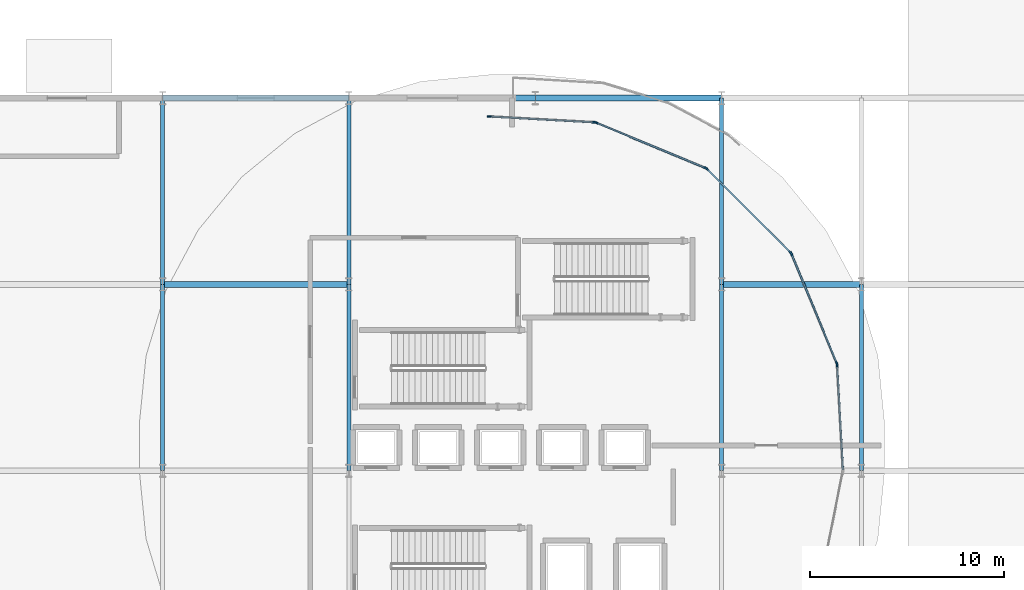
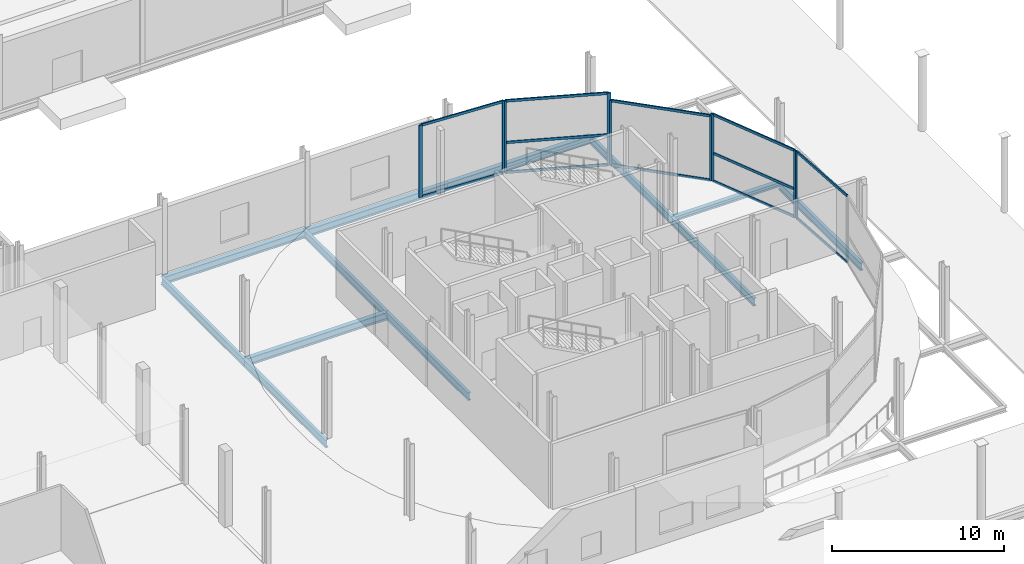
# One storey, part 44 of 84: 21 members, 12 beams, 5 elements without a shape of their own.
"""IFC4 building model written with IfcOpenShell, lengths in metres."""

from ifc_helpers import new_model, si_unit, direction, frame, origin, origin_2d, place, context, subcontext, project, spatial, rectangle, i_section, extrude, material, layer, layer_set, material_profile, profile_set, type_object, element, aggregate, save


model = new_model("IFC4")

# Units and contexts
model_context = context("Model", 3, precision=1e-05, world=origin(), true_north=direction((0.0, 1.0)))
body_context = subcontext(model_context, "Body", "Model", "MODEL_VIEW")
ifc_project = project(units=[si_unit("LENGTHUNIT", "METRE"), si_unit("AREAUNIT", "SQUARE_METRE"), si_unit("VOLUMEUNIT", "CUBIC_METRE"), si_unit("PLANEANGLEUNIT", "RADIAN"), si_unit("MASSUNIT", "GRAM", prefix="KILO")], contexts=[model_context])

# Site, building, storey
site_placement = place(None, origin())
site = spatial("IfcSite", under=ifc_project, at=site_placement, CompositionType="ELEMENT")
building_placement = place(site_placement, origin())
building = spatial("IfcBuilding", under=site, at=building_placement, Name="Zevrakil Square Congress Hotel", CompositionType="ELEMENT")
storey_placement = place(building_placement, origin())
storey = spatial("IfcBuildingStorey", under=building, at=storey_placement, Name="L01", CompositionType="ELEMENT", Elevation=0.0)

# Beams
ifc_material_1 = material(Name="Steel S355", Category="steel")
ifc_material_profile_1 = material_profile(ifc_material_1, i_section(OverallWidth=0.300048828125, OverallDepth=0.31005859375, WebThickness=0.009033203125, FlangeThickness=0.015380859375, FilletRadius=0.027099609375, at=origin_2d()), Name="HEA 320")
ifc_profile_set_1 = profile_set([ifc_material_profile_1], Name="Steel S355")
beam_type_1 = type_object("IfcBeamType", Name="BM-HEA320", PredefinedType="BEAM", material=ifc_profile_set_1)
beam_1_placement = place(storey_placement, frame((156.0, 36.0, -0.47509765625), z_axis=(1.0, 0.0, 0.0), x_axis=(0.0, 1.0, 0.0)))
element("IfcBeam", 1, at=beam_1_placement, inside=storey, type_object=beam_type_1, Name="L01 primary girder BX-0346", PredefinedType="BEAM", context=body_context, shape_type="SweptSolid", body=[
    extrude(i_section(OverallWidth=0.300048828125, OverallDepth=0.31005859375, WebThickness=0.009033203125, FlangeThickness=0.015380859375, FilletRadius=0.027099609375, at=origin_2d()), origin(), (0.0, 0.0, 1.0), 7.199951171875),
])
ifc_material_2 = material(Name="Steel S355", Category="steel")
ifc_material_profile_2 = material_profile(ifc_material_2, i_section(OverallWidth=0.300048828125, OverallDepth=0.5400390625, WebThickness=0.012451171875, FlangeThickness=0.02392578125, FilletRadius=0.027099609375, at=origin_2d()), Name="HEA 550")
ifc_profile_set_2 = profile_set([ifc_material_profile_2], Name="Steel S355")
beam_type_2 = type_object("IfcBeamType", Name="BM-HEA550", PredefinedType="BEAM", material=ifc_profile_set_2)
for number, where, z_axis, x_axis, name in (
    (2, (127.199951171875, 36.0, -0.590087890625), (1.0, 0.0, 0.0), (0.0, 1.0, 0.0), "L01 primary girder BX-0345"),
    (3, (127.199951171875, 45.60009765625, -0.590087890625), (1.0, 0.0, 0.0), (0.0, 1.0, 0.0), "L01 primary girder BX-0362"),
):
    element("IfcBeam", number, at=place(storey_placement, frame(where, z_axis=z_axis, x_axis=x_axis)), inside=storey, type_object=beam_type_2, Name=name, PredefinedType="BEAM", context=body_context, shape_type="SweptSolid", body=[
        extrude(i_section(OverallWidth=0.300048828125, OverallDepth=0.5400390625, WebThickness=0.012451171875, FlangeThickness=0.02392578125, FilletRadius=0.027099609375, at=origin_2d()), origin(), (0.0, 0.0, 1.0), 9.60009765625),
    ])
beam_2_placement = place(storey_placement, frame((136.800048828125, 45.60009765625, -0.590087890625), z_axis=(1.0, 0.0, 0.0), x_axis=(0.0, 1.0, 0.0)))
element("IfcBeam", 4, at=beam_2_placement, inside=storey, type_object=beam_type_2, Name="L01 primary girder BX-0363", PredefinedType="BEAM", context=body_context, shape_type="SweptSolid", body=[
    extrude(i_section(OverallWidth=0.300048828125, OverallDepth=0.5400390625, WebThickness=0.012451171875, FlangeThickness=0.02392578125, FilletRadius=0.027099609375, at=origin_2d()), origin(), (0.0, 0.0, 1.0), 9.599853515625),
])
beam_3_placement = place(storey_placement, frame((146.39990234375, 45.60009765625, -0.590087890625), z_axis=(1.0, 0.0, 0.0), x_axis=(0.0, 1.0, 0.0)))
element("IfcBeam", 5, at=beam_3_placement, inside=storey, type_object=beam_type_2, Name="L01 primary girder BX-0364", PredefinedType="BEAM", context=body_context, shape_type="SweptSolid", body=[
    extrude(i_section(OverallWidth=0.300048828125, OverallDepth=0.5400390625, WebThickness=0.012451171875, FlangeThickness=0.02392578125, FilletRadius=0.027099609375, at=origin_2d()), origin(), (0.0, 0.0, 1.0), 9.60009765625),
])
ifc_material_3 = material(Name="Steel S355", Category="steel")
ifc_material_profile_3 = material_profile(ifc_material_3, i_section(OverallWidth=0.2099609375, OverallDepth=0.550048828125, WebThickness=0.010986328125, FlangeThickness=0.01708984375, FilletRadius=0.02392578125, at=origin_2d()), Name="IPE 550")
ifc_profile_set_3 = profile_set([ifc_material_profile_3], Name="Steel S355")
beam_type_3 = type_object("IfcBeamType", Name="BM-IPE550", PredefinedType="BEAM", material=ifc_profile_set_3)
for number, where, z_axis, x_axis, name in (
    (6, (127.199951171875, 26.39990234375, -0.594970703125), (0.0, 1.0, 0.0), (-1.0, 0.0, 0.0), "L01 primary girder BY-0617"),
    (7, (127.199951171875, 36.0, -0.594970703125), (0.0, 1.0, 0.0), (-1.0, 0.0, 0.0), "L01 primary girder BY-0618"),
    (8, (136.800048828125, 26.39990234375, -0.594970703125), (0.0, 1.0, 0.0), (-1.0, 0.0, 0.0), "L01 primary girder BY-0623"),
    (9, (136.800048828125, 36.0, -0.594970703125), (0.0, 1.0, 0.0), (-1.0, 0.0, 0.0), "L01 primary girder BY-0624"),
    (10, (156.0, 26.39990234375, -0.594970703125), (0.0, 1.0, 0.0), (-1.0, 0.0, 0.0), "L01 primary girder BY-0632"),
    (11, (156.0, 36.0, -0.594970703125), (0.0, 1.0, 0.0), (-1.0, 0.0, 0.0), "L01 primary girder BY-0633"),
    (12, (163.199951171875, 26.39990234375, -0.594970703125), (0.0, 1.0, 0.0), (-1.0, 0.0, 0.0), "L01 primary girder BY-0637"),
):
    element("IfcBeam", number, at=place(storey_placement, frame(where, z_axis=z_axis, x_axis=x_axis)), inside=storey, type_object=beam_type_3, Name=name, PredefinedType="BEAM", context=body_context, shape_type="SweptSolid", body=[
        extrude(i_section(OverallWidth=0.2099609375, OverallDepth=0.550048828125, WebThickness=0.010986328125, FlangeThickness=0.01708984375, FilletRadius=0.02392578125, at=origin_2d()), origin(), (0.0, 0.0, 1.0), 9.60009765625),
    ])

# Curtain wall, members
ifc_material_4 = material(Name="Aluminium Anodised Bronze", Category="aluminium")
ifc_layer_1 = layer(ifc_material_4, 0.179931640625)
ifc_layer_set_1 = layer_set([ifc_layer_1], Name="Aluminium Anodised Bronze")
curtain_wall_type_1 = type_object("IfcCurtainWallType", Name="CW-L01-560", PredefinedType="USERDEFINED", material=ifc_layer_set_1)
curtain_wall_1_placement = place(storey_placement, origin())
curtain_wall_1 = element("IfcCurtainWall", 13, at=curtain_wall_1_placement, inside=storey, type_object=curtain_wall_type_1, Name="L01 diamond curtain wall CW-L01-0147", ObjectType="GLAZED CURTAIN WALL", PredefinedType="USERDEFINED")
ifc_material_5 = material(Name="Aluminium Anodised Bronze", Category="aluminium")
ifc_material_profile_4 = material_profile(ifc_material_5, rectangle(XDim=0.0849609375, YDim=0.179931640625, at=origin_2d()), Name="ALU 85x180")
ifc_profile_set_4 = profile_set([ifc_material_profile_4], Name="Aluminium Anodised Bronze")
member_type_1 = type_object("IfcMemberType", Name="CWM-ALU85x180", PredefinedType="USERDEFINED", material=ifc_profile_set_4)
member_1_placement = place(storey_placement, frame((162.24658203125, 26.4599609375, 0.030029296875), z_axis=(-0.055356931966, 0.998466629429, 0.0), x_axis=(-0.998466629429, -0.055356931966, 0.0)))
member_1 = element("IfcMember", 14, at=member_1_placement, type_object=member_type_1, Name="CW-08 transom 1.1", ObjectType="TRANSOM", PredefinedType="USERDEFINED", context=body_context, shape_type="SweptSolid", body=[
    extrude(rectangle(XDim=0.0849609375, YDim=0.179931640625, at=origin_2d()), origin(), (0.0, 0.0, 1.0), 5.380615234375),
])
member_2_placement = place(storey_placement, frame((162.24658203125, 26.4599609375, 4.7451171875), z_axis=(-0.055356931966, 0.998466629429, 0.0), x_axis=(-0.998466629429, -0.055356931966, 0.0)))
member_2 = element("IfcMember", 15, at=member_2_placement, type_object=member_type_1, Name="CW-08 transom 1.2", ObjectType="TRANSOM", PredefinedType="USERDEFINED", context=body_context, shape_type="SweptSolid", body=[
    extrude(rectangle(XDim=0.0849609375, YDim=0.179931640625, at=origin_2d()), origin(), (0.0, 0.0, 1.0), 5.380615234375),
])

ifc_material_6 = material(Name="Aluminium Anodised Bronze", Category="aluminium")
ifc_layer_2 = layer(ifc_material_6, 0.179931640625)
ifc_layer_set_2 = layer_set([ifc_layer_2], Name="Aluminium Anodised Bronze")
curtain_wall_type_2 = type_object("IfcCurtainWallType", Name="CW-L01-640", PredefinedType="USERDEFINED", material=ifc_layer_set_2)
curtain_wall_2_placement = place(storey_placement, origin())
curtain_wall_2 = element("IfcCurtainWall", 16, at=curtain_wall_2_placement, inside=storey, type_object=curtain_wall_type_2, Name="L01 diamond curtain wall CW-L01-0148", ObjectType="GLAZED CURTAIN WALL", PredefinedType="USERDEFINED")
member_3_placement = place(storey_placement, frame((161.92236328125, 31.94775390625, 0.030029296875), z_axis=(-0.382670620421, 0.923884839288, 0.0), x_axis=(-0.923884839288, -0.382670620421, 0.0)))
member_3 = element("IfcMember", 17, at=member_3_placement, type_object=member_type_1, Name="CW-09 transom 1.1", ObjectType="TRANSOM", PredefinedType="USERDEFINED", context=body_context, shape_type="SweptSolid", body=[
    extrude(rectangle(XDim=0.0849609375, YDim=0.179931640625, at=origin_2d()), origin(), (0.0, 0.0, 1.0), 6.064208984375),
])
member_4_placement = place(storey_placement, frame((161.92236328125, 31.94775390625, 2.005615234375), z_axis=(-0.382670620421, 0.923884839288, 0.0), x_axis=(-0.923884839288, -0.382670620421, 0.0)))
member_4 = element("IfcMember", 18, at=member_4_placement, type_object=member_type_1, Name="CW-09 transom 1.2", ObjectType="TRANSOM", PredefinedType="USERDEFINED", context=body_context, shape_type="SweptSolid", body=[
    extrude(rectangle(XDim=0.0849609375, YDim=0.179931640625, at=origin_2d()), origin(), (0.0, 0.0, 1.0), 6.064208984375),
])
member_5_placement = place(storey_placement, frame((161.92236328125, 31.94775390625, 4.7451171875), z_axis=(-0.382670620421, 0.923884839288, 0.0), x_axis=(-0.923884839288, -0.382670620421, 0.0)))
member_5 = element("IfcMember", 19, at=member_5_placement, type_object=member_type_1, Name="CW-09 transom 1.3", ObjectType="TRANSOM", PredefinedType="USERDEFINED", context=body_context, shape_type="SweptSolid", body=[
    extrude(rectangle(XDim=0.0849609375, YDim=0.179931640625, at=origin_2d()), origin(), (0.0, 0.0, 1.0), 6.064208984375),
])

curtain_wall_3_placement = place(storey_placement, origin())
curtain_wall_3 = element("IfcCurtainWall", 20, at=curtain_wall_3_placement, inside=storey, type_object=curtain_wall_type_2, Name="L01 diamond curtain wall CW-L01-0149", ObjectType="GLAZED CURTAIN WALL", PredefinedType="USERDEFINED")
member_6_placement = place(storey_placement, frame((159.536376953125, 37.648193359375, 0.030029296875), z_axis=(-0.707106781187, 0.707106781187, 0.0), x_axis=(-0.707106781187, -0.707106781187, 0.0)))
member_6 = element("IfcMember", 21, at=member_6_placement, type_object=member_type_1, Name="CW-09 transom 1.1", ObjectType="TRANSOM", PredefinedType="USERDEFINED", context=body_context, shape_type="SweptSolid", body=[
    extrude(rectangle(XDim=0.0849609375, YDim=0.179931640625, at=origin_2d()), origin(), (0.0, 0.0, 1.0), 6.064208984375),
])
member_7_placement = place(storey_placement, frame((159.536376953125, 37.648193359375, 4.594970703125), z_axis=(-0.707106781187, 0.707106781187, 0.0), x_axis=(-0.707106781187, -0.707106781187, 0.0)))
member_7 = element("IfcMember", 22, at=member_7_placement, type_object=member_type_1, Name="CW-09 transom 1.2", ObjectType="TRANSOM", PredefinedType="USERDEFINED", context=body_context, shape_type="SweptSolid", body=[
    extrude(rectangle(XDim=0.0849609375, YDim=0.179931640625, at=origin_2d()), origin(), (0.0, 0.0, 1.0), 6.064208984375),
])

curtain_wall_4_placement = place(storey_placement, origin())
curtain_wall_4 = element("IfcCurtainWall", 23, at=curtain_wall_4_placement, inside=storey, type_object=curtain_wall_type_2, Name="L01 diamond curtain wall CW-L01-0150", ObjectType="GLAZED CURTAIN WALL", PredefinedType="USERDEFINED")
member_8_placement = place(storey_placement, frame((155.150390625, 42.001708984375, 0.030029296875), z_axis=(-0.923876501403, 0.382690750026, 0.0), x_axis=(-0.382690750026, -0.923876501403, 0.0)))
member_8 = element("IfcMember", 24, at=member_8_placement, type_object=member_type_1, Name="CW-09 transom 1.1", ObjectType="TRANSOM", PredefinedType="USERDEFINED", context=body_context, shape_type="SweptSolid", body=[
    extrude(rectangle(XDim=0.0849609375, YDim=0.179931640625, at=origin_2d()), origin(), (0.0, 0.0, 1.0), 6.064453125),
])
member_9_placement = place(storey_placement, frame((155.150390625, 42.001708984375, 2.15869140625), z_axis=(-0.923876501403, 0.382690750026, 0.0), x_axis=(-0.382690750026, -0.923876501403, 0.0)))
member_9 = element("IfcMember", 25, at=member_9_placement, type_object=member_type_1, Name="CW-09 transom 1.2", ObjectType="TRANSOM", PredefinedType="USERDEFINED", context=body_context, shape_type="SweptSolid", body=[
    extrude(rectangle(XDim=0.0849609375, YDim=0.179931640625, at=origin_2d()), origin(), (0.0, 0.0, 1.0), 6.064453125),
])
member_10_placement = place(storey_placement, frame((155.150390625, 42.001708984375, 5.110107421875), z_axis=(-0.923876501403, 0.382690750026, 0.0), x_axis=(-0.382690750026, -0.923876501403, 0.0)))
member_10 = element("IfcMember", 26, at=member_10_placement, type_object=member_type_1, Name="CW-09 transom 1.3", ObjectType="TRANSOM", PredefinedType="USERDEFINED", context=body_context, shape_type="SweptSolid", body=[
    extrude(rectangle(XDim=0.0849609375, YDim=0.179931640625, at=origin_2d()), origin(), (0.0, 0.0, 1.0), 6.064453125),
])

curtain_wall_5_placement = place(storey_placement, origin())
curtain_wall_5 = element("IfcCurtainWall", 27, at=curtain_wall_5_placement, inside=storey, type_object=curtain_wall_type_1, Name="L01 diamond curtain wall CW-L01-0151", ObjectType="GLAZED CURTAIN WALL", PredefinedType="USERDEFINED")
member_11_placement = place(storey_placement, frame((149.432373046875, 44.3486328125, 0.030029296875), z_axis=(-0.99846425973, 0.055399657418, 0.0), x_axis=(-0.055399657418, -0.99846425973, 0.0)))
member_11 = element("IfcMember", 28, at=member_11_placement, type_object=member_type_1, Name="CW-08 transom 1.1", ObjectType="TRANSOM", PredefinedType="USERDEFINED", context=body_context, shape_type="SweptSolid", body=[
    extrude(rectangle(XDim=0.0849609375, YDim=0.179931640625, at=origin_2d()), origin(), (0.0, 0.0, 1.0), 5.380859375),
])
member_12_placement = place(storey_placement, frame((149.432373046875, 44.3486328125, 5.110107421875), z_axis=(-0.99846425973, 0.055399657418, 0.0), x_axis=(-0.055399657418, -0.99846425973, 0.0)))
member_12 = element("IfcMember", 29, at=member_12_placement, type_object=member_type_1, Name="CW-08 transom 1.2", ObjectType="TRANSOM", PredefinedType="USERDEFINED", context=body_context, shape_type="SweptSolid", body=[
    extrude(rectangle(XDim=0.0849609375, YDim=0.179931640625, at=origin_2d()), origin(), (0.0, 0.0, 1.0), 5.380859375),
])

# Member
ifc_material_7 = material(Name="Aluminium Anodised Bronze", Category="aluminium")
ifc_material_profile_5 = material_profile(ifc_material_7, rectangle(XDim=0.0849609375, YDim=0.219970703125, at=origin_2d()), Name="ALU 85x220")
ifc_profile_set_5 = profile_set([ifc_material_profile_5], Name="Aluminium Anodised Bronze")
member_type_2 = type_object("IfcMemberType", Name="CWM-ALU85x220", PredefinedType="MULLION", material=ifc_profile_set_5)
member_13_placement = place(storey_placement, frame((161.947021484375, 31.8623046875, 0.0), z_axis=(0.0, 0.0, 1.0), x_axis=(-0.998465606848, -0.055375373052, 0.0)))
member_13 = element("IfcMember", 30, at=member_13_placement, type_object=member_type_2, Name="CW-08 mullion 2", PredefinedType="MULLION", context=body_context, shape_type="SweptSolid", body=[
    extrude(rectangle(XDim=0.0849609375, YDim=0.219970703125, at=origin_2d()), origin(), (0.0, 0.0, 1.0), 4.77490234375),
])

aggregate(curtain_wall_1, [member_13, member_1, member_2])

member_14_placement = place(storey_placement, frame((161.933837890625, 31.919921875, 0.0), z_axis=(0.0, 0.0, 1.0), x_axis=(-0.923882425818, -0.38267644723, 0.0)))
member_14 = element("IfcMember", 31, at=member_14_placement, type_object=member_type_2, Name="CW-09 mullion 1", PredefinedType="MULLION", context=body_context, shape_type="SweptSolid", body=[
    extrude(rectangle(XDim=0.0849609375, YDim=0.219970703125, at=origin_2d()), origin(), (0.0, 0.0, 1.0), 4.77490234375),
])

member_15_placement = place(storey_placement, frame((159.59033203125, 37.578125, 0.0), z_axis=(0.0, 0.0, 1.0), x_axis=(-0.923882425818, -0.38267644723, 0.0)))
member_15 = element("IfcMember", 32, at=member_15_placement, type_object=member_type_2, Name="CW-09 mullion 2", PredefinedType="MULLION", context=body_context, shape_type="SweptSolid", body=[
    extrude(rectangle(XDim=0.0849609375, YDim=0.219970703125, at=origin_2d()), origin(), (0.0, 0.0, 1.0), 4.77490234375),
])

aggregate(curtain_wall_2, [member_14, member_15, member_3, member_4, member_5])

member_16_placement = place(storey_placement, frame((159.5576171875, 37.626953125, 0.0), z_axis=(0.0, 0.0, 1.0), x_axis=(-0.707106781187, -0.707106781187, 0.0)))
member_16 = element("IfcMember", 33, at=member_16_placement, type_object=member_type_2, Name="CW-09 mullion 1", PredefinedType="MULLION", context=body_context, shape_type="SweptSolid", body=[
    extrude(rectangle(XDim=0.0849609375, YDim=0.219970703125, at=origin_2d()), origin(), (0.0, 0.0, 1.0), 4.625),
])

member_17_placement = place(storey_placement, frame((155.22705078125, 41.95751953125, 0.0), z_axis=(0.0, 0.0, 1.0), x_axis=(-0.707106781187, -0.707106781187, 0.0)))
member_17 = element("IfcMember", 34, at=member_17_placement, type_object=member_type_2, Name="CW-09 mullion 2", PredefinedType="MULLION", context=body_context, shape_type="SweptSolid", body=[
    extrude(rectangle(XDim=0.0849609375, YDim=0.219970703125, at=origin_2d()), origin(), (0.0, 0.0, 1.0), 4.625),
])

aggregate(curtain_wall_3, [member_16, member_17, member_6, member_7])

member_18_placement = place(storey_placement, frame((155.177978515625, 41.990234375, 0.0), z_axis=(0.0, 0.0, 1.0), x_axis=(-0.38267644723, -0.923882425818, 0.0)))
member_18 = element("IfcMember", 35, at=member_18_placement, type_object=member_type_2, Name="CW-09 mullion 1", PredefinedType="MULLION", context=body_context, shape_type="SweptSolid", body=[
    extrude(rectangle(XDim=0.0849609375, YDim=0.219970703125, at=origin_2d()), origin(), (0.0, 0.0, 1.0), 5.139892578125),
])

member_19_placement = place(storey_placement, frame((149.52001953125, 44.333984375, 0.0), z_axis=(0.0, 0.0, 1.0), x_axis=(-0.38267644723, -0.923882425818, 0.0)))
member_19 = element("IfcMember", 36, at=member_19_placement, type_object=member_type_2, Name="CW-09 mullion 2", PredefinedType="MULLION", context=body_context, shape_type="SweptSolid", body=[
    extrude(rectangle(XDim=0.0849609375, YDim=0.219970703125, at=origin_2d()), origin(), (0.0, 0.0, 1.0), 5.139892578125),
])

aggregate(curtain_wall_4, [member_18, member_19, member_8, member_9, member_10])

member_20_placement = place(storey_placement, frame((149.462158203125, 44.34716796875, 0.0), z_axis=(0.0, 0.0, 1.0), x_axis=(-0.055375373052, -0.998465606848, 0.0)))
member_20 = element("IfcMember", 37, at=member_20_placement, type_object=member_type_2, Name="CW-08 mullion 1", PredefinedType="MULLION", context=body_context, shape_type="SweptSolid", body=[
    extrude(rectangle(XDim=0.0849609375, YDim=0.219970703125, at=origin_2d()), origin(), (0.0, 0.0, 1.0), 5.139892578125),
])

member_21_placement = place(storey_placement, frame((144.030029296875, 44.6484375, 0.0), z_axis=(0.0, 0.0, 1.0), x_axis=(-0.055375373052, -0.998465606848, 0.0)))
member_21 = element("IfcMember", 38, at=member_21_placement, type_object=member_type_2, Name="CW-08 mullion 2", PredefinedType="MULLION", context=body_context, shape_type="SweptSolid", body=[
    extrude(rectangle(XDim=0.0849609375, YDim=0.219970703125, at=origin_2d()), origin(), (0.0, 0.0, 1.0), 5.139892578125),
])

aggregate(curtain_wall_5, [member_20, member_21, member_11, member_12])

save(model, "model.ifc")
